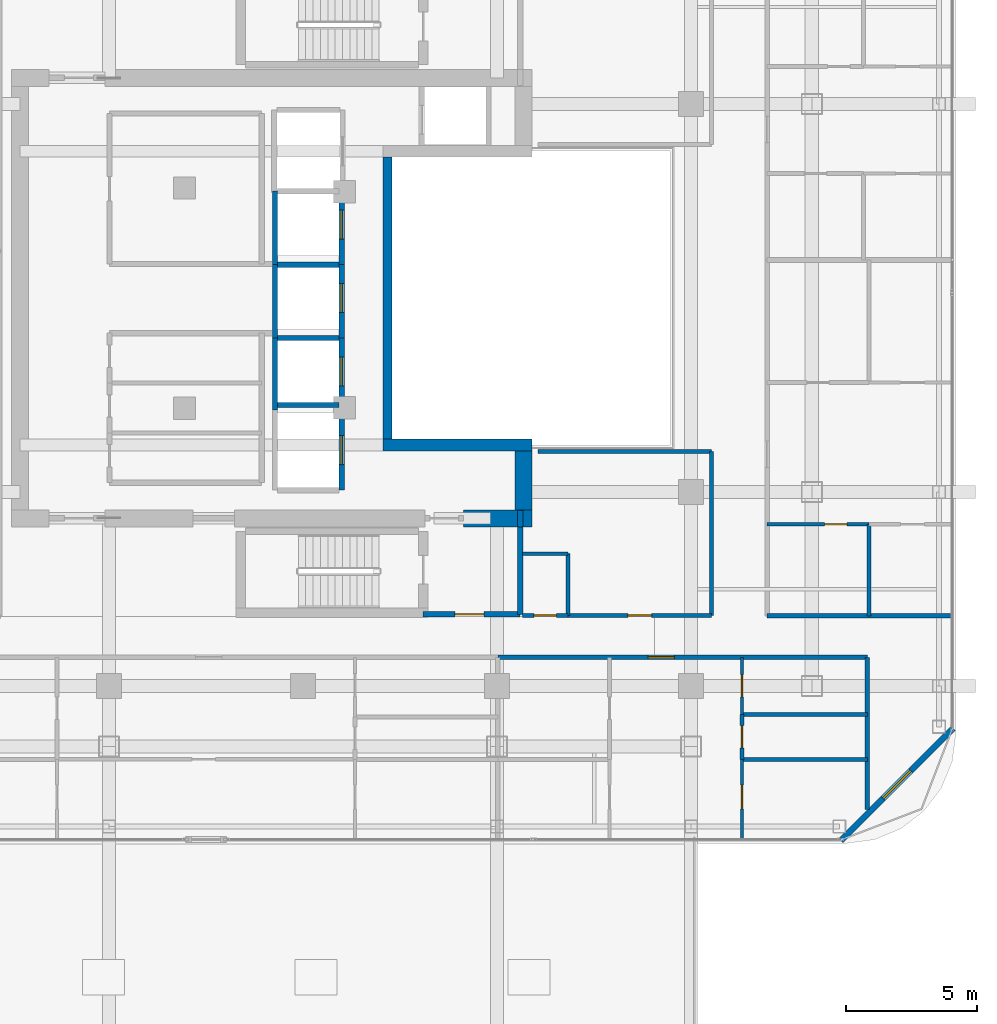
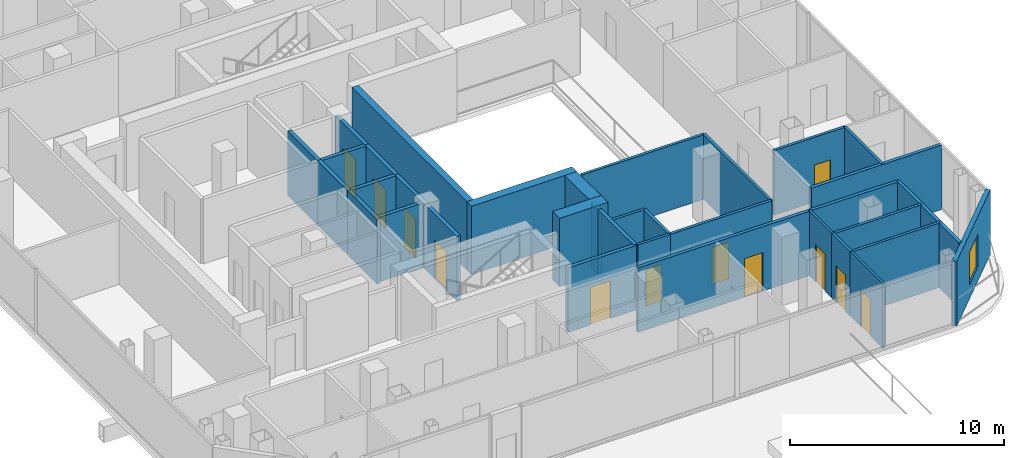
# One storey, part 19 of 25: 34 walls, 12 doors, 1 window, 13 openings.
"""IFC4 building model written with IfcOpenShell, lengths in metres."""

import ifcopenshell
import ifcopenshell.guid

model = None  # the IFC model being written
_history = None  # IfcOwnerHistory: only IFC2X3 demands one
_inside = {}  # id of a spatial element -> (the spatial element, [elements in it])
_under = {}  # id of a project, library or spatial element -> (it, [spatial elements below it])
_declared = {}  # id of a project -> (the project, [libraries it declares])
_typed = {}  # id of a type object -> (the type object, [elements of that type])
_made_of = {}  # id of a material, layer set ... -> (it, [elements and type objects made of it])


def new_model(schema):
    """Start an empty IFC model of exactly this schema.

    Asked for "IFC4X3", IfcOpenShell would pick the latest addendum, in which some entities
    have other attributes; the version numbers below select the first issue.
    IFC2X3 requires an IfcOwnerHistory on every rooted entity: one is made here for all.
    """
    global model, _history
    if schema == "IFC4X3":
        model = ifcopenshell.file(schema_version=(4, 3, 0, 0))
    else:
        model = ifcopenshell.file(schema=schema)
    _inside.clear()
    _under.clear()
    _declared.clear()
    _typed.clear()
    _made_of.clear()
    _history = None
    if model.schema == "IFC2X3":
        org = make("IfcOrganization", Name="unknown")
        user = make(
            "IfcPersonAndOrganization",
            ThePerson=make("IfcPerson", FamilyName="unknown"),
            TheOrganization=org,
        )
        app = make(
            "IfcApplication",
            ApplicationDeveloper=org,
            Version="unknown",
            ApplicationFullName="unknown",
            ApplicationIdentifier="unknown",
        )
        _history = make(
            "IfcOwnerHistory",
            OwningUser=user,
            OwningApplication=app,
            ChangeAction="ADDED",
            CreationDate=0,
        )
    return model


def make(cls, **values):
    """One entity of the class cls with the attributes given. An attribute that is None is left unset."""
    return model.create_entity(
        cls, **{name: value for name, value in values.items() if value is not None}
    )


def rooted(cls, **values):
    """An entity with a GlobalId (a new one), such as an element, a storey or a relation."""
    return make(cls, GlobalId=ifcopenshell.guid.new(), OwnerHistory=_history, **values)


def si_unit(unit_type, name, prefix=None):
    """IfcSIUnit, for example si_unit("LENGTHUNIT", "METRE", prefix="MILLI")."""
    return make("IfcSIUnit", UnitType=unit_type, Prefix=prefix, Name=name)


def assignment(units):
    """IfcUnitAssignment: the units of a project."""
    return None if units is None else make("IfcUnitAssignment", Units=units)


def point(xyz):
    """IfcCartesianPoint."""
    return None if xyz is None else make("IfcCartesianPoint", Coordinates=xyz)


def direction(xyz):
    """IfcDirection."""
    return None if xyz is None else make("IfcDirection", DirectionRatios=xyz)


def frame(location, z_axis=None, x_axis=None):
    """IfcAxis2Placement3D, a coordinate frame: its origin and axes. An axis left out is left unset."""
    return make(
        "IfcAxis2Placement3D",
        Location=point(location),
        Axis=direction(z_axis),
        RefDirection=direction(x_axis),
    )


def frame_2d(location, x_axis=None):
    """IfcAxis2Placement2D, a coordinate frame in the plane: its origin and x axis."""
    return make(
        "IfcAxis2Placement2D", Location=point(location), RefDirection=direction(x_axis)
    )


def origin():
    """The frame at (0, 0, 0) with its axes left unset."""
    return frame((0.0, 0.0, 0.0))


def place(relative_to, where):
    """IfcLocalPlacement: puts the frame where relative to a parent placement (None: the world)."""
    return make(
        "IfcLocalPlacement", PlacementRelTo=relative_to, RelativePlacement=where
    )


def context(
    kind, dimensions, precision=None, world=None, true_north=None, identifier=None
):
    """IfcGeometricRepresentationContext, for example the 3D "Model" context."""
    return make(
        "IfcGeometricRepresentationContext",
        ContextIdentifier=identifier,
        ContextType=kind,
        CoordinateSpaceDimension=dimensions,
        Precision=precision,
        WorldCoordinateSystem=world,
        TrueNorth=true_north,
    )


def subcontext(parent, identifier, kind, view, scale=None):
    """IfcGeometricRepresentationSubContext, for example "Body" below "Model"."""
    return make(
        "IfcGeometricRepresentationSubContext",
        ContextIdentifier=identifier,
        ContextType=kind,
        ParentContext=parent,
        TargetScale=scale,
        TargetView=view,
    )


def project(units=None, contexts=None):
    """IfcProject with its units and contexts."""
    return rooted(
        "IfcProject",
        Name="project",
        RepresentationContexts=contexts,
        UnitsInContext=assignment(units),
    )


def spatial(cls, under=None, at=None, **own):
    """A site, building, storey or space (cls), placed at a placement, below another one or the project."""
    s = rooted(cls, ObjectPlacement=at, **own)
    if under is not None:
        _under.setdefault(under.id(), (under, []))[1].append(s)
    return s


def profile(cls, at=None, kind="AREA", **sizes):
    """A parametric profile (cls). Its sizes go by their IFC names, for example OverallWidth=200.0."""
    return make(cls, ProfileType=kind, Position=at, **sizes)


def rectangle(**sizes):
    """IfcRectangleProfileDef."""
    return profile("IfcRectangleProfileDef", **sizes)


def extrude(swept, where, along, depth):
    """IfcExtrudedAreaSolid: the profile swept, set in the frame where, extruded along a direction by depth."""
    return make(
        "IfcExtrudedAreaSolid",
        SweptArea=swept,
        Position=where,
        ExtrudedDirection=direction(along),
        Depth=depth,
    )


def shape(context_of_items, identifier, shape_type, items):
    """IfcShapeRepresentation: the items that make up one representation, for example the "Body"."""
    return make(
        "IfcShapeRepresentation",
        ContextOfItems=context_of_items,
        RepresentationIdentifier=identifier,
        RepresentationType=shape_type,
        Items=items,
    )


def material(Name=None, Category=None):
    """IfcMaterial."""
    return make("IfcMaterial", Name=Name, Category=Category)


def layer(
    of_material, thickness, ventilated=None, Name=None, Category=None, Priority=None
):
    """IfcMaterialLayer: one layer of a wall or slab, of a material (None: an air gap)."""
    return make(
        "IfcMaterialLayer",
        Material=of_material,
        LayerThickness=thickness,
        IsVentilated=ventilated,
        Name=Name,
        Category=Category,
        Priority=Priority,
    )


def layer_set(layers, Name=None):
    """IfcMaterialLayerSet."""
    return make("IfcMaterialLayerSet", MaterialLayers=layers, LayerSetName=Name)


def made_of(thing, what):
    """Note that an element or type object is made of a material, layer set ...; save() writes the relation."""
    if what is not None:
        _made_of.setdefault(what.id(), (what, []))[1].append(thing)
    return thing


def type_object(cls, material=None, **own):
    """A type object (cls), such as IfcWallType, which elements share."""
    return made_of(rooted(cls, **own), material)


def element(
    cls,
    number,
    at=None,
    inside=None,
    cuts=None,
    type_object=None,
    material=None,
    context=None,
    identifier="Body",
    shape_type=None,
    held_by="IfcProductDefinitionShape",
    body=None,
    shapes=None,
    **own,
):
    """One element of the class cls, such as IfcWall. Its Tag is "e" and its number.

    at: its placement. inside: the storey or other place that contains it. cuts: it is an
    opening in that element (IfcRelVoidsElement). A single representation is given by context,
    identifier, shape_type and body (its items); several are given by shapes. held_by: the class
    of the entity that holds the representations. save() writes the other relations.
    """
    e = rooted(cls, Tag="e%d" % number, ObjectPlacement=at, **own)
    if body is not None:
        shapes = [shape(context, identifier, shape_type, body)]
    if shapes is not None:
        e.Representation = make(held_by, Representations=shapes)
    if inside is not None:
        _inside.setdefault(inside.id(), (inside, []))[1].append(e)
    if cuts is not None:
        rooted(
            "IfcRelVoidsElement", RelatingBuildingElement=cuts, RelatedOpeningElement=e
        )
    if type_object is not None:
        _typed.setdefault(type_object.id(), (type_object, []))[1].append(e)
    return made_of(e, material)


def fill(opening, filler):
    """IfcRelFillsElement: the door or window that sits in an opening."""
    return rooted(
        "IfcRelFillsElement",
        RelatingOpeningElement=opening,
        RelatedBuildingElement=filler,
    )


def aggregate(whole, parts):
    """IfcRelAggregates: a whole, such as a stair, and the parts it consists of."""
    return rooted("IfcRelAggregates", RelatingObject=whole, RelatedObjects=parts)


def save(model, path):
    """Write the relations noted so far, then the file.

    IfcRelAggregates (storeys below a building ...), IfcRelContainedInSpatialStructure (elements
    in a storey), IfcRelDefinesByType, IfcRelAssociatesMaterial and IfcRelDeclares: one each for
    every whole, place, type object, material and project.
    """
    for whole, parts in _under.values():
        aggregate(whole, parts)
    for where, things in _inside.values():
        rooted(
            "IfcRelContainedInSpatialStructure",
            RelatedElements=things,
            RelatingStructure=where,
        )
    for kind, things in _typed.values():
        rooted("IfcRelDefinesByType", RelatedObjects=things, RelatingType=kind)
    for what, things in _made_of.values():
        rooted("IfcRelAssociatesMaterial", RelatedObjects=things, RelatingMaterial=what)
    for by, libraries in _declared.values():
        rooted("IfcRelDeclares", RelatingContext=by, RelatedDefinitions=libraries)
    model.write(path)


model = new_model("IFC4")

# Units and contexts
model_context = context("Model", 3, precision=1e-05, world=origin(), true_north=direction((0.0, 1.0)))
body_context = subcontext(model_context, "Body", "Model", "MODEL_VIEW")
ifc_project = project(units=[si_unit("LENGTHUNIT", "METRE"), si_unit("AREAUNIT", "SQUARE_METRE"), si_unit("VOLUMEUNIT", "CUBIC_METRE"), si_unit("PLANEANGLEUNIT", "RADIAN"), si_unit("MASSUNIT", "GRAM", prefix="KILO")], contexts=[model_context])

# Site, building, storey
site_placement = place(None, origin())
site = spatial("IfcSite", under=ifc_project, at=site_placement, CompositionType="ELEMENT")
building_placement = place(site_placement, origin())
building = spatial("IfcBuilding", under=site, at=building_placement, Name="Khorvyn Point Tower", CompositionType="ELEMENT")
storey_placement = place(building_placement, frame((0.0, 0.0, 254.699951171875)))
storey = spatial("IfcBuildingStorey", under=building, at=storey_placement, Name="L62", CompositionType="ELEMENT", Elevation=254.699951171875)

# Wall, opening, door
ifc_material_1 = material(Name="Double acoustic gypsum on twin steel stud", Category="steel")
ifc_layer_1 = layer(ifc_material_1, 0.179931640625)
ifc_layer_set_1 = layer_set([ifc_layer_1], Name="Acoustic Double-Stud Apartment Demising Wall 180")
wall_type_1 = type_object("IfcWallType", Name="Acoustic Double-Stud Apartment Demising Wall 180", PredefinedType="PARTITIONING", material=ifc_layer_set_1)
wall_1_placement = place(storey_placement, frame((7.424072265625, -13.699951171875, 0.0), z_axis=(0.0, 0.0, 1.0), x_axis=(1.0, 0.0, 0.0)))
wall_1 = element("IfcWall", 1, at=wall_1_placement, inside=storey, type_object=wall_type_1, Name="Wall", PredefinedType="PARTITIONING", context=body_context, shape_type="SweptSolid", body=[
    extrude(rectangle(XDim=14.095947265625, YDim=0.179931640625, at=frame_2d((7.0478515625, 0.0))), origin(), (0.0, 0.0, 1.0), 3.679931640625),
])
opening_1_placement = place(wall_1_placement, frame((5.73828125, 0.0, 0.0)))
opening_1 = element("IfcOpeningElement", 2, at=opening_1_placement, cuts=wall_1, Name="Opening ID-AP60", PredefinedType="OPENING", context=body_context, shape_type="SweptSolid", body=[
    extrude(rectangle(XDim=1.0, YDim=2.199951171875, at=frame_2d((0.5, 1.10009765625))), frame((0.0, 0.099853515625, 0.0), z_axis=(0.0, -1.0, 0.0), x_axis=(1.0, 0.0, 0.0)), (0.0, 0.0, 1.0), 0.199951171875),
])
ifc_material_2 = material(Name="Engineered hardwood fire-rated leaf", Category="wood")
door_type_1 = type_object("IfcDoorType", Name="Acoustic Solid-Core Timber Apartment Entrance Door 1000x2200", OperationType="NOTDEFINED", PredefinedType="DOOR", material=ifc_material_2)
door_1_placement = place(opening_1_placement, origin())
door_1 = element("IfcDoor", 3, at=door_1_placement, inside=storey, type_object=door_type_1, Name="Door", OperationType="SINGLE_SWING_LEFT", OverallHeight=2.199951171875, OverallWidth=1.0, PredefinedType="DOOR", context=body_context, shape_type="SweptSolid", body=[
    extrude(rectangle(XDim=1.0, YDim=2.199951171875, at=frame_2d((0.5, 1.10009765625))), frame((0.0, 0.02490234375, 0.0), z_axis=(0.0, -1.0, 0.0), x_axis=(1.0, 0.0, 0.0)), (0.0, 0.0, 1.0), 0.050048828125),
])
fill(opening_1, door_1)

# Walls
wall_2_placement = place(storey_placement, frame((21.52001953125, -19.510009765625, 0.0), z_axis=(0.0, 0.0, 1.0), x_axis=(0.0, 1.0, 0.0)))
element("IfcWall", 4, at=wall_2_placement, inside=storey, type_object=wall_type_1, Name="Wall", PredefinedType="PARTITIONING", context=body_context, shape_type="SweptSolid", body=[
    extrude(rectangle(XDim=5.81005859375, YDim=0.179931640625, at=frame_2d((2.905029296875, 0.0))), origin(), (0.0, 0.0, 1.0), 3.679931640625),
])
wall_3_placement = place(storey_placement, frame((17.699951171875, -12.1201171875, 0.0), z_axis=(0.0, 0.0, 1.0), x_axis=(1.0, 0.0, 0.0)))
element("IfcWall", 5, at=wall_3_placement, inside=storey, type_object=wall_type_1, Name="Wall", PredefinedType="PARTITIONING", context=body_context, shape_type="SweptSolid", body=[
    extrude(rectangle(XDim=7.030029296875, YDim=0.179931640625, at=frame_2d((3.51513671875, 0.0))), origin(), (0.0, 0.0, 1.0), 3.679931640625),
])

# Wall, opening, window
ifc_material_3 = material(Name="Pale anodised aluminium rainscreen on steel stud", Category="steel")
ifc_layer_2 = layer(ifc_material_3, 0.239990234375)
ifc_layer_set_2 = layer_set([ifc_layer_2], Name="Anodised Aluminium Insulated Corner Spandrel Wall 240")
wall_type_2 = type_object("IfcWallType", Name="Anodised Aluminium Insulated Corner Spandrel Wall 240", PredefinedType="SOLIDWALL", material=ifc_layer_set_2)
wall_4_placement = place(storey_placement, frame((24.79248046875, -16.40771484375, 0.0), z_axis=(0.0, 0.0, 1.0), x_axis=(-0.707126925818, -0.707086635981, 0.0)))
wall_4 = element("IfcWall", 6, at=wall_4_placement, inside=storey, type_object=wall_type_2, Name="L62 Rounded Corner Wall SE", PredefinedType="SOLIDWALL", context=body_context, shape_type="SweptSolid", body=[
    extrude(rectangle(XDim=6.0595703125, YDim=0.239990234375, at=frame_2d((3.02978515625, 0.0))), origin(), (0.0, 0.0, 1.0), 3.679931640625),
])
opening_2_placement = place(wall_4_placement, frame((2.27978515625, 0.0, 0.800048828125)))
opening_2 = element("IfcOpeningElement", 7, at=opening_2_placement, cuts=wall_4, Name="Opening WN-1518", PredefinedType="OPENING", context=body_context, shape_type="SweptSolid", body=[
    extrude(rectangle(XDim=1.5, YDim=1.85009765625, at=frame_2d((0.75, 0.925048828125))), frame((0.0, 0.1298828125, 0.0), z_axis=(0.0, -1.0, 0.0), x_axis=(1.0, 0.0, 0.0)), (0.0, 0.0, 1.0), 0.260009765625),
])
ifc_material_4 = material(Name="Anodised aluminium 6063-T6 and laminated Low-E glass", Category="aluminium")
window_type = type_object("IfcWindowType", Name="Anodised Aluminium Rounded-Corner Panoramic Window 1500x1850", PartitioningType="SINGLE_PANEL", PredefinedType="WINDOW", material=ifc_material_4)
window_placement = place(opening_2_placement, origin())
window = element("IfcWindow", 8, at=window_placement, inside=storey, type_object=window_type, Name="L62 Corner Panoramic Window SE", OverallHeight=1.85009765625, OverallWidth=1.5, PartitioningType="SINGLE_PANEL", PredefinedType="WINDOW", context=body_context, shape_type="SweptSolid", body=[
    extrude(rectangle(XDim=1.5, YDim=1.85009765625, at=frame_2d((0.75, 0.925048828125))), frame((0.0, 0.030029296875, 0.0), z_axis=(0.0, -1.0, 0.0), x_axis=(1.0, 0.0, 0.0)), (0.0, 0.0, 1.0), 0.06005859375),
])
fill(opening_2, window)

# Walls
ifc_material_5 = material(Name="Concrete C40/50", Category="concrete")
ifc_layer_3 = layer(ifc_material_5, 0.449951171875)
ifc_layer_set_3 = layer_set([ifc_layer_3], Name="Concrete C40/50 Core Shear Wall 450")
wall_type_3 = type_object("IfcWallType", Name="Concrete C40/50 Core Shear Wall 450", PredefinedType="SHEAR", material=ifc_layer_set_3)
wall_5_placement = place(storey_placement, frame((3.044921875, -5.60009765625, 0.0), z_axis=(0.0, 0.0, 1.0), x_axis=(1.0, 0.0, 0.0)))
element("IfcWall", 9, at=wall_5_placement, inside=storey, type_object=wall_type_3, Name="Wall", PredefinedType="SHEAR", context=body_context, shape_type="SweptSolid", body=[
    extrude(rectangle(XDim=5.68017578125, YDim=0.449951171875, at=frame_2d((2.840087890625, 0.0))), origin(), (0.0, 0.0, 1.0), 3.900146484375),
])
ifc_layer_4 = layer(ifc_material_5, 0.64990234375)
ifc_layer_set_4 = layer_set([ifc_layer_4], Name="Concrete C40/50 Core Shear Wall 650")
wall_type_4 = type_object("IfcWallType", Name="Concrete C40/50 Core Shear Wall 650", PredefinedType="SHEAR", material=ifc_layer_set_4)
wall_6_placement = place(storey_placement, frame((6.1201171875, -8.39990234375, 0.0), z_axis=(0.0, 0.0, 1.0), x_axis=(1.0, 0.0, 0.0)))
element("IfcWall", 10, at=wall_6_placement, inside=storey, type_object=wall_type_4, Name="Wall", PredefinedType="SHEAR", context=body_context, shape_type="SweptSolid", body=[
    extrude(rectangle(XDim=2.60498046875, YDim=0.64990234375, at=frame_2d((1.302490234375, 0.0))), origin(), (0.0, 0.0, 1.0), 3.900146484375),
])
wall_7_placement = place(storey_placement, frame((8.39990234375, -8.074951171875, 0.0), z_axis=(0.0, 0.0, 1.0), x_axis=(0.0, 1.0, 0.0)))
element("IfcWall", 11, at=wall_7_placement, inside=storey, type_object=wall_type_4, Name="Wall", PredefinedType="SHEAR", context=body_context, shape_type="SweptSolid", body=[
    extrude(rectangle(XDim=2.25, YDim=0.64990234375, at=frame_2d((1.125, 0.0))), origin(), (0.0, 0.0, 1.0), 3.900146484375),
])

# Wall, opening, door
ifc_layer_5 = layer(ifc_material_5, 0.199951171875)
ifc_layer_set_5 = layer_set([ifc_layer_5], Name="Concrete C40/50 Fire-Lobby Compartment Wall 200")
wall_type_5 = type_object("IfcWallType", Name="Concrete C40/50 Fire-Lobby Compartment Wall 200", PredefinedType="SOLIDWALL", material=ifc_layer_set_5)
wall_8_placement = place(storey_placement, frame((4.580078125, -12.06005859375, 0.0), z_axis=(0.0, 0.0, 1.0), x_axis=(1.0, 0.0, 0.0)))
wall_8 = element("IfcWall", 12, at=wall_8_placement, inside=storey, type_object=wall_type_5, Name="Wall", PredefinedType="SOLIDWALL", context=body_context, shape_type="SweptSolid", body=[
    extrude(rectangle(XDim=3.699951171875, YDim=0.199951171875, at=frame_2d((1.85009765625, 0.0))), origin(), (0.0, 0.0, 1.0), 3.679931640625),
])
opening_3_placement = place(wall_8_placement, frame((1.21240234375, 0.0, 0.0)))
opening_3 = element("IfcOpeningElement", 13, at=opening_3_placement, cuts=wall_8, Name="Opening ID-FL90", PredefinedType="OPENING", context=body_context, shape_type="SweptSolid", body=[
    extrude(rectangle(XDim=1.10009765625, YDim=2.14990234375, at=frame_2d((0.550048828125, 1.074951171875))), frame((0.0, 0.10986328125, 0.0), z_axis=(0.0, -1.0, 0.0), x_axis=(1.0, 0.0, 0.0)), (0.0, 0.0, 1.0), 0.219970703125),
])
ifc_material_6 = material(Name="Galvanised powder-coated steel", Category="steel")
door_type_2 = type_object("IfcDoorType", Name="Fire-Rated Steel Lobby and Stair Door 1100x2150", OperationType="NOTDEFINED", PredefinedType="DOOR", material=ifc_material_6)
door_2_placement = place(opening_3_placement, origin())
door_2 = element("IfcDoor", 14, at=door_2_placement, inside=storey, type_object=door_type_2, Name="Door", OperationType="SINGLE_SWING_LEFT", OverallHeight=2.14990234375, OverallWidth=1.10009765625, PredefinedType="DOOR", context=body_context, shape_type="SweptSolid", body=[
    extrude(rectangle(XDim=1.10009765625, YDim=2.14990234375, at=frame_2d((0.550048828125, 1.074951171875))), frame((0.0, 0.02490234375, 0.0), z_axis=(0.0, -1.0, 0.0), x_axis=(1.0, 0.0, 0.0)), (0.0, 0.0, 1.0), 0.050048828125),
])
fill(opening_3, door_2)

# Walls
wall_9_placement = place(storey_placement, frame((8.280029296875, -12.06005859375, 0.0), z_axis=(0.0, 0.0, 1.0), x_axis=(0.0, 1.0, 0.0)))
element("IfcWall", 15, at=wall_9_placement, inside=storey, type_object=wall_type_5, Name="Wall", PredefinedType="SOLIDWALL", context=body_context, shape_type="SweptSolid", body=[
    extrude(rectangle(XDim=3.3349609375, YDim=0.199951171875, at=frame_2d((1.66748046875, 0.0))), origin(), (0.0, 0.0, 1.0), 3.679931640625),
])
wall_10_placement = place(storey_placement, frame((8.280029296875, -8.72509765625, 0.0), z_axis=(0.0, 0.0, 1.0), x_axis=(0.0, 1.0, 0.0)))
element("IfcWall", 16, at=wall_10_placement, inside=storey, type_object=wall_type_5, Name="Wall", PredefinedType="SOLIDWALL", context=body_context, shape_type="SweptSolid", body=[
    extrude(rectangle(XDim=0.625, YDim=0.199951171875, at=frame_2d((0.3125, 0.0))), origin(), (0.0, 0.0, 1.0), 3.679931640625),
])
ifc_layer_6 = layer(ifc_material_5, 0.35009765625)
ifc_layer_set_6 = layer_set([ifc_layer_6], Name="Concrete C40/50 Stair Shaft Structural Wall 350")
wall_type_6 = type_object("IfcWallType", Name="Concrete C40/50 Stair Shaft Structural Wall 350", PredefinedType="SHEAR", material=ifc_layer_set_6)
wall_11_placement = place(storey_placement, frame((3.219970703125, -5.375, 0.0), z_axis=(0.0, 0.0, 1.0), x_axis=(0.0, 1.0, 0.0)))
element("IfcWall", 17, at=wall_11_placement, inside=storey, type_object=wall_type_6, Name="Wall", PredefinedType="SHEAR", context=body_context, shape_type="SweptSolid", body=[
    extrude(rectangle(XDim=10.75, YDim=0.35009765625, at=frame_2d((5.375, 0.0))), origin(), (0.0, 0.0, 1.0), 3.900146484375),
])
ifc_layer_7 = layer(ifc_material_5, 0.199951171875)
ifc_layer_set_7 = layer_set([ifc_layer_7], Name="Concrete C40/50 Structural Hoistway and Stair Shaft Wall 200")
wall_type_7 = type_object("IfcWallType", Name="Concrete C40/50 Structural Hoistway and Stair Shaft Wall 200", PredefinedType="SHEAR", material=ifc_layer_set_7)
wall_12_placement = place(storey_placement, frame((-1.074951171875, -4.27490234375, 0.0), z_axis=(0.0, 0.0, 1.0), x_axis=(0.0, 1.0, 0.0)))
element("IfcWall", 18, at=wall_12_placement, inside=storey, type_object=wall_type_7, Name="Wall", PredefinedType="SHEAR", context=body_context, shape_type="SweptSolid", body=[
    extrude(rectangle(XDim=2.75, YDim=0.199951171875, at=frame_2d((1.375, 0.0))), origin(), (0.0, 0.0, 1.0), 3.679931640625),
])

# Wall, opening, door
wall_13_placement = place(storey_placement, frame((1.47509765625, -4.27490234375, 0.0), z_axis=(0.0, 0.0, 1.0), x_axis=(0.0, 1.0, 0.0)))
wall_13 = element("IfcWall", 19, at=wall_13_placement, inside=storey, type_object=wall_type_7, Name="Wall", PredefinedType="SHEAR", context=body_context, shape_type="SweptSolid", body=[
    extrude(rectangle(XDim=2.75, YDim=0.199951171875, at=frame_2d((1.375, 0.0))), origin(), (0.0, 0.0, 1.0), 3.679931640625),
])
opening_4_placement = place(wall_13_placement, frame((0.925048828125, 0.0, 0.0)))
opening_4 = element("IfcOpeningElement", 20, at=opening_4_placement, cuts=wall_13, Name="Opening LD-1122", PredefinedType="OPENING", context=body_context, shape_type="SweptSolid", body=[
    extrude(rectangle(XDim=1.10009765625, YDim=2.199951171875, at=frame_2d((0.550048828125, 1.10009765625))), frame((0.0, 0.10986328125, 0.0), z_axis=(0.0, -1.0, 0.0), x_axis=(1.0, 0.0, 0.0)), (0.0, 0.0, 1.0), 0.219970703125),
])
ifc_material_7 = material(Name="Stainless steel 1.4301", Category="steel")
door_type_3 = type_object("IfcDoorType", Name="Stainless Steel Automatic Sliding Lift Landing Door 1100x2200", OperationType="SLIDING_TO_LEFT", PredefinedType="DOOR", material=ifc_material_7)
door_3_placement = place(opening_4_placement, origin())
door_3 = element("IfcDoor", 21, at=door_3_placement, inside=storey, type_object=door_type_3, Name="L62 RH-01 Sliding Lift Landing Door", OperationType="SLIDING_TO_LEFT", OverallHeight=2.199951171875, OverallWidth=1.10009765625, PredefinedType="DOOR", context=body_context, shape_type="SweptSolid", body=[
    extrude(rectangle(XDim=1.10009765625, YDim=2.199951171875, at=frame_2d((0.550048828125, 1.10009765625))), frame((0.0, 0.02490234375, 0.0), z_axis=(0.0, -1.0, 0.0), x_axis=(1.0, 0.0, 0.0)), (0.0, 0.0, 1.0), 0.050048828125),
])
fill(opening_4, door_3)

# Walls
for number, where, z_axis, x_axis, name in (
    (22, (-0.97509765625, -4.074951171875, 0.0), (0.0, 0.0, 1.0), (1.0, 0.0, 0.0), "Wall"),
    (23, (-0.97509765625, -1.52490234375, 0.0), (0.0, 0.0, 1.0), (1.0, 0.0, 0.0), "Wall"),
):
    element("IfcWall", number, at=place(storey_placement, frame(where, z_axis=z_axis, x_axis=x_axis)), inside=storey, type_object=wall_type_7, Name=name, PredefinedType="SHEAR", context=body_context, shape_type="SweptSolid", body=[
        extrude(rectangle(XDim=2.35009765625, YDim=0.199951171875, at=frame_2d((1.175048828125, 0.0))), origin(), (0.0, 0.0, 1.0), 3.679931640625),
    ])
wall_14_placement = place(storey_placement, frame((-1.074951171875, -1.52490234375, 0.0), z_axis=(0.0, 0.0, 1.0), x_axis=(0.0, 1.0, 0.0)))
element("IfcWall", 24, at=wall_14_placement, inside=storey, type_object=wall_type_7, Name="Wall", PredefinedType="SHEAR", context=body_context, shape_type="SweptSolid", body=[
    extrude(rectangle(XDim=2.7998046875, YDim=0.199951171875, at=frame_2d((1.39990234375, 0.0))), origin(), (0.0, 0.0, 1.0), 3.679931640625),
])

# Wall, opening, door
wall_15_placement = place(storey_placement, frame((1.47509765625, -1.52490234375, 0.0), z_axis=(0.0, 0.0, 1.0), x_axis=(0.0, 1.0, 0.0)))
wall_15 = element("IfcWall", 25, at=wall_15_placement, inside=storey, type_object=wall_type_7, Name="Wall", PredefinedType="SHEAR", context=body_context, shape_type="SweptSolid", body=[
    extrude(rectangle(XDim=2.7998046875, YDim=0.199951171875, at=frame_2d((1.39990234375, 0.0))), origin(), (0.0, 0.0, 1.0), 3.679931640625),
])
opening_5_placement = place(wall_15_placement, frame((0.97509765625, 0.0, 0.0)))
opening_5 = element("IfcOpeningElement", 26, at=opening_5_placement, cuts=wall_15, Name="Opening LD-1122", PredefinedType="OPENING", context=body_context, shape_type="SweptSolid", body=[
    extrude(rectangle(XDim=1.10009765625, YDim=2.199951171875, at=frame_2d((0.550048828125, 1.10009765625))), frame((0.0, 0.10986328125, 0.0), z_axis=(0.0, -1.0, 0.0), x_axis=(1.0, 0.0, 0.0)), (0.0, 0.0, 1.0), 0.219970703125),
])
door_4_placement = place(opening_5_placement, origin())
door_4 = element("IfcDoor", 27, at=door_4_placement, inside=storey, type_object=door_type_3, Name="L62 RH-02 Sliding Lift Landing Door", OperationType="SLIDING_TO_LEFT", OverallHeight=2.199951171875, OverallWidth=1.10009765625, PredefinedType="DOOR", context=body_context, shape_type="SweptSolid", body=[
    extrude(rectangle(XDim=1.10009765625, YDim=2.199951171875, at=frame_2d((0.550048828125, 1.10009765625))), frame((0.0, 0.02490234375, 0.0), z_axis=(0.0, -1.0, 0.0), x_axis=(1.0, 0.0, 0.0)), (0.0, 0.0, 1.0), 0.050048828125),
])
fill(opening_5, door_4)

# Walls
wall_16_placement = place(storey_placement, frame((-0.97509765625, 1.27490234375, 0.0), z_axis=(0.0, 0.0, 1.0), x_axis=(1.0, 0.0, 0.0)))
element("IfcWall", 28, at=wall_16_placement, inside=storey, type_object=wall_type_7, Name="Wall", PredefinedType="SHEAR", context=body_context, shape_type="SweptSolid", body=[
    extrude(rectangle(XDim=2.35009765625, YDim=0.199951171875, at=frame_2d((1.175048828125, 0.0))), origin(), (0.0, 0.0, 1.0), 3.679931640625),
])
wall_17_placement = place(storey_placement, frame((-1.074951171875, 1.27490234375, 0.0), z_axis=(0.0, 0.0, 1.0), x_axis=(0.0, 1.0, 0.0)))
element("IfcWall", 29, at=wall_17_placement, inside=storey, type_object=wall_type_7, Name="Wall", PredefinedType="SHEAR", context=body_context, shape_type="SweptSolid", body=[
    extrude(rectangle(XDim=2.800048828125, YDim=0.199951171875, at=frame_2d((1.39990234375, 0.0))), origin(), (0.0, 0.0, 1.0), 3.679931640625),
])

# Wall, opening, door
wall_18_placement = place(storey_placement, frame((1.47509765625, 1.27490234375, 0.0), z_axis=(0.0, 0.0, 1.0), x_axis=(0.0, 1.0, 0.0)))
wall_18 = element("IfcWall", 30, at=wall_18_placement, inside=storey, type_object=wall_type_7, Name="Wall", PredefinedType="SHEAR", context=body_context, shape_type="SweptSolid", body=[
    extrude(rectangle(XDim=2.800048828125, YDim=0.199951171875, at=frame_2d((1.39990234375, 0.0))), origin(), (0.0, 0.0, 1.0), 3.679931640625),
])
opening_6_placement = place(wall_18_placement, frame((0.97509765625, 0.0, 0.0)))
opening_6 = element("IfcOpeningElement", 31, at=opening_6_placement, cuts=wall_18, Name="Opening LD-1122", PredefinedType="OPENING", context=body_context, shape_type="SweptSolid", body=[
    extrude(rectangle(XDim=1.10009765625, YDim=2.199951171875, at=frame_2d((0.550048828125, 1.10009765625))), frame((0.0, 0.10986328125, 0.0), z_axis=(0.0, -1.0, 0.0), x_axis=(1.0, 0.0, 0.0)), (0.0, 0.0, 1.0), 0.219970703125),
])
door_5_placement = place(opening_6_placement, origin())
door_5 = element("IfcDoor", 32, at=door_5_placement, inside=storey, type_object=door_type_3, Name="L62 RH-03 Sliding Lift Landing Door", OperationType="SLIDING_TO_LEFT", OverallHeight=2.199951171875, OverallWidth=1.10009765625, PredefinedType="DOOR", context=body_context, shape_type="SweptSolid", body=[
    extrude(rectangle(XDim=1.10009765625, YDim=2.199951171875, at=frame_2d((0.550048828125, 1.10009765625))), frame((0.0, 0.02490234375, 0.0), z_axis=(0.0, -1.0, 0.0), x_axis=(1.0, 0.0, 0.0)), (0.0, 0.0, 1.0), 0.050048828125),
])
fill(opening_6, door_5)

wall_19_placement = place(storey_placement, frame((1.47509765625, -7.324951171875, 0.0), z_axis=(0.0, 0.0, 1.0), x_axis=(0.0, 1.0, 0.0)))
wall_19 = element("IfcWall", 33, at=wall_19_placement, inside=storey, type_object=wall_type_7, Name="Wall", PredefinedType="SHEAR", context=body_context, shape_type="SweptSolid", body=[
    extrude(rectangle(XDim=3.050048828125, YDim=0.199951171875, at=frame_2d((1.52490234375, 0.0))), origin(), (0.0, 0.0, 1.0), 3.679931640625),
])
opening_7_placement = place(wall_19_placement, frame((0.97509765625, 0.0, 0.0)))
opening_7 = element("IfcOpeningElement", 34, at=opening_7_placement, cuts=wall_19, Name="Opening LD-1122", PredefinedType="OPENING", context=body_context, shape_type="SweptSolid", body=[
    extrude(rectangle(XDim=1.10009765625, YDim=2.199951171875, at=frame_2d((0.550048828125, 1.10009765625))), frame((0.0, 0.10986328125, 0.0), z_axis=(0.0, -1.0, 0.0), x_axis=(1.0, 0.0, 0.0)), (0.0, 0.0, 1.0), 0.219970703125),
])
door_6_placement = place(opening_7_placement, origin())
door_6 = element("IfcDoor", 35, at=door_6_placement, inside=storey, type_object=door_type_3, Name="L62 FF-01 Sliding Lift Landing Door", OperationType="SLIDING_TO_LEFT", OverallHeight=2.199951171875, OverallWidth=1.10009765625, PredefinedType="DOOR", context=body_context, shape_type="SweptSolid", body=[
    extrude(rectangle(XDim=1.10009765625, YDim=2.199951171875, at=frame_2d((0.550048828125, 1.10009765625))), frame((0.0, 0.02490234375, 0.0), z_axis=(0.0, -1.0, 0.0), x_axis=(1.0, 0.0, 0.0)), (0.0, 0.0, 1.0), 0.050048828125),
])
fill(opening_7, door_6)

ifc_material_8 = material(Name="Gypsum plasterboard on steel stud", Category="steel")
ifc_layer_8 = layer(ifc_material_8, 0.1201171875)
ifc_layer_set_8 = layer_set([ifc_layer_8], Name="Gypsum Acoustic Stud Room Partition Wall 120")
wall_type_8 = type_object("IfcWallType", Name="Gypsum Acoustic Stud Room Partition Wall 120", PredefinedType="PARTITIONING", material=ifc_layer_set_8)
wall_20_placement = place(storey_placement, frame((16.738037109375, -15.8779296875, 0.0), z_axis=(0.0, 0.0, 1.0), x_axis=(0.0, 1.0, 0.0)))
wall_20 = element("IfcWall", 36, at=wall_20_placement, inside=storey, type_object=wall_type_8, Name="Wall", PredefinedType="PARTITIONING", context=body_context, shape_type="SweptSolid", body=[
    extrude(rectangle(XDim=2.177978515625, YDim=0.1201171875, at=frame_2d((1.0888671875, 0.0))), origin(), (0.0, 0.0, 1.0), 3.679931640625),
])
opening_8_placement = place(wall_20_placement, frame((0.6640625, 0.0, 0.0)))
opening_8 = element("IfcOpeningElement", 37, at=opening_8_placement, cuts=wall_20, Name="Opening ID-WC85", PredefinedType="OPENING", context=body_context, shape_type="SweptSolid", body=[
    extrude(rectangle(XDim=0.85009765625, YDim=2.10009765625, at=frame_2d((0.425048828125, 1.050048828125))), frame((0.0, 0.070068359375, 0.0), z_axis=(0.0, -1.0, 0.0), x_axis=(1.0, 0.0, 0.0)), (0.0, 0.0, 1.0), 0.14013671875),
])
ifc_material_9 = material(Name="High-pressure laminate on moisture-resistant core", Category="wood")
door_type_4 = type_object("IfcDoorType", Name="Moisture-Resistant Accessible Washroom Door 850x2100", OperationType="NOTDEFINED", PredefinedType="DOOR", material=ifc_material_9)
door_7_placement = place(opening_8_placement, origin())
door_7 = element("IfcDoor", 38, at=door_7_placement, inside=storey, type_object=door_type_4, Name="Door", OperationType="SINGLE_SWING_LEFT", OverallHeight=2.10009765625, OverallWidth=0.85009765625, PredefinedType="DOOR", context=body_context, shape_type="SweptSolid", body=[
    extrude(rectangle(XDim=0.85009765625, YDim=2.10009765625, at=frame_2d((0.425048828125, 1.050048828125))), frame((0.0, 0.02490234375, 0.0), z_axis=(0.0, -1.0, 0.0), x_axis=(1.0, 0.0, 0.0)), (0.0, 0.0, 1.0), 0.050048828125),
])
fill(opening_8, door_7)

wall_21_placement = place(storey_placement, frame((16.738037109375, -20.6298828125, 0.0), z_axis=(0.0, 0.0, 1.0), x_axis=(0.0, 1.0, 0.0)))
wall_21 = element("IfcWall", 39, at=wall_21_placement, inside=storey, type_object=wall_type_8, Name="Wall", PredefinedType="PARTITIONING", context=body_context, shape_type="SweptSolid", body=[
    extrude(rectangle(XDim=3.039794921875, YDim=0.1201171875, at=frame_2d((1.52001953125, 0.0))), origin(), (0.0, 0.0, 1.0), 3.679931640625),
])
opening_9_placement = place(wall_21_placement, frame((1.152587890625, 0.0, 0.0)))
opening_9 = element("IfcOpeningElement", 40, at=opening_9_placement, cuts=wall_21, Name="Opening ID-RM90", PredefinedType="OPENING", context=body_context, shape_type="SweptSolid", body=[
    extrude(rectangle(XDim=0.89990234375, YDim=2.10009765625, at=frame_2d((0.449951171875, 1.050048828125))), frame((0.0, 0.070068359375, 0.0), z_axis=(0.0, -1.0, 0.0), x_axis=(1.0, 0.0, 0.0)), (0.0, 0.0, 1.0), 0.14013671875),
])
ifc_material_10 = material(Name="Engineered oak veneer timber", Category="wood")
door_type_5 = type_object("IfcDoorType", Name="Flush Engineered Timber Room Door 900x2100", OperationType="NOTDEFINED", PredefinedType="DOOR", material=ifc_material_10)
door_8_placement = place(opening_9_placement, origin())
door_8 = element("IfcDoor", 41, at=door_8_placement, inside=storey, type_object=door_type_5, Name="Door", OperationType="SINGLE_SWING_RIGHT", OverallHeight=2.10009765625, OverallWidth=0.89990234375, PredefinedType="DOOR", context=body_context, shape_type="SweptSolid", body=[
    extrude(rectangle(XDim=0.89990234375, YDim=2.10009765625, at=frame_2d((0.449951171875, 1.050048828125))), frame((0.0, 0.02490234375, 0.0), z_axis=(0.0, -1.0, 0.0), x_axis=(1.0, 0.0, 0.0)), (0.0, 0.0, 1.0), 0.050048828125),
])
fill(opening_9, door_8)

ifc_material_11 = material(Name="Moisture-resistant gypsum and cement board", Category="gypsum")
ifc_layer_9 = layer(ifc_material_11, 0.14990234375)
ifc_layer_set_9 = layer_set([ifc_layer_9], Name="Moisture-Resistant Wet-Room Partition Wall 150")
wall_type_9 = type_object("IfcWallType", Name="Moisture-Resistant Wet-Room Partition Wall 150", PredefinedType="PARTITIONING", material=ifc_layer_set_9)
wall_22_placement = place(storey_placement, frame((8.360107421875, -12.10009765625, 0.0), z_axis=(0.0, 0.0, 1.0), x_axis=(1.0, 0.0, 0.0)))
wall_22 = element("IfcWall", 42, at=wall_22_placement, inside=storey, type_object=wall_type_9, Name="Wall", PredefinedType="PARTITIONING", context=body_context, shape_type="SweptSolid", body=[
    extrude(rectangle(XDim=1.739990234375, YDim=0.14990234375, at=frame_2d((0.8701171875, 0.0))), origin(), (0.0, 0.0, 1.0), 3.679931640625),
])
opening_10_placement = place(wall_22_placement, frame((0.445068359375, 0.0, 0.0)))
opening_10 = element("IfcOpeningElement", 43, at=opening_10_placement, cuts=wall_22, Name="Opening ID-WC85", PredefinedType="OPENING", context=body_context, shape_type="SweptSolid", body=[
    extrude(rectangle(XDim=0.85009765625, YDim=2.10009765625, at=frame_2d((0.425048828125, 1.050048828125))), frame((0.0, 0.0849609375, 0.0), z_axis=(0.0, -1.0, 0.0), x_axis=(1.0, 0.0, 0.0)), (0.0, 0.0, 1.0), 0.169921875),
])
door_9_placement = place(opening_10_placement, origin())
door_9 = element("IfcDoor", 44, at=door_9_placement, inside=storey, type_object=door_type_4, Name="Door", OperationType="SINGLE_SWING_RIGHT", OverallHeight=2.10009765625, OverallWidth=0.85009765625, PredefinedType="DOOR", context=body_context, shape_type="SweptSolid", body=[
    extrude(rectangle(XDim=0.85009765625, YDim=2.10009765625, at=frame_2d((0.425048828125, 1.050048828125))), frame((0.0, 0.02490234375, 0.0), z_axis=(0.0, -1.0, 0.0), x_axis=(1.0, 0.0, 0.0)), (0.0, 0.0, 1.0), 0.050048828125),
])
fill(opening_10, door_9)

wall_23_placement = place(storey_placement, frame((10.10009765625, -12.10009765625, 0.0), z_axis=(0.0, 0.0, 1.0), x_axis=(1.0, 0.0, 0.0)))
wall_23 = element("IfcWall", 45, at=wall_23_placement, inside=storey, type_object=wall_type_9, Name="Wall", PredefinedType="PARTITIONING", context=body_context, shape_type="SweptSolid", body=[
    extrude(rectangle(XDim=5.47998046875, YDim=0.14990234375, at=frame_2d((2.739990234375, 0.0))), origin(), (0.0, 0.0, 1.0), 3.679931640625),
])
opening_11_placement = place(wall_23_placement, frame((2.2900390625, 0.0, 0.0)))
opening_11 = element("IfcOpeningElement", 46, at=opening_11_placement, cuts=wall_23, Name="Opening ID-RM90", PredefinedType="OPENING", context=body_context, shape_type="SweptSolid", body=[
    extrude(rectangle(XDim=0.89990234375, YDim=2.10009765625, at=frame_2d((0.449951171875, 1.050048828125))), frame((0.0, 0.0849609375, 0.0), z_axis=(0.0, -1.0, 0.0), x_axis=(1.0, 0.0, 0.0)), (0.0, 0.0, 1.0), 0.169921875),
])
door_10_placement = place(opening_11_placement, origin())
door_10 = element("IfcDoor", 47, at=door_10_placement, inside=storey, type_object=door_type_5, Name="Door", OperationType="SINGLE_SWING_LEFT", OverallHeight=2.10009765625, OverallWidth=0.89990234375, PredefinedType="DOOR", context=body_context, shape_type="SweptSolid", body=[
    extrude(rectangle(XDim=0.89990234375, YDim=2.10009765625, at=frame_2d((0.449951171875, 1.050048828125))), frame((0.0, 0.02490234375, 0.0), z_axis=(0.0, -1.0, 0.0), x_axis=(1.0, 0.0, 0.0)), (0.0, 0.0, 1.0), 0.050048828125),
])
fill(opening_11, door_10)

wall_24_placement = place(storey_placement, frame((16.738037109375, -17.590087890625, 0.0), z_axis=(0.0, 0.0, 1.0), x_axis=(0.0, 1.0, 0.0)))
wall_24 = element("IfcWall", 48, at=wall_24_placement, inside=storey, type_object=wall_type_9, Name="Wall", PredefinedType="PARTITIONING", context=body_context, shape_type="SweptSolid", body=[
    extrude(rectangle(XDim=1.712158203125, YDim=0.14990234375, at=frame_2d((0.85595703125, 0.0))), origin(), (0.0, 0.0, 1.0), 3.679931640625),
])
opening_12_placement = place(wall_24_placement, frame((0.430908203125, 0.0, 0.0)))
opening_12 = element("IfcOpeningElement", 49, at=opening_12_placement, cuts=wall_24, Name="Opening ID-WC85", PredefinedType="OPENING", context=body_context, shape_type="SweptSolid", body=[
    extrude(rectangle(XDim=0.85009765625, YDim=2.10009765625, at=frame_2d((0.425048828125, 1.050048828125))), frame((0.0, 0.0849609375, 0.0), z_axis=(0.0, -1.0, 0.0), x_axis=(1.0, 0.0, 0.0)), (0.0, 0.0, 1.0), 0.169921875),
])
door_11_placement = place(opening_12_placement, origin())
door_11 = element("IfcDoor", 50, at=door_11_placement, inside=storey, type_object=door_type_4, Name="Door", OperationType="SINGLE_SWING_RIGHT", OverallHeight=2.10009765625, OverallWidth=0.85009765625, PredefinedType="DOOR", context=body_context, shape_type="SweptSolid", body=[
    extrude(rectangle(XDim=0.85009765625, YDim=2.10009765625, at=frame_2d((0.425048828125, 1.050048828125))), frame((0.0, 0.02490234375, 0.0), z_axis=(0.0, -1.0, 0.0), x_axis=(1.0, 0.0, 0.0)), (0.0, 0.0, 1.0), 0.050048828125),
])
fill(opening_12, door_11)

wall_25_placement = place(storey_placement, frame((17.699951171875, -8.626953125, 0.0), z_axis=(0.0, 0.0, 1.0), x_axis=(1.0, 0.0, 0.0)))
wall_25 = element("IfcWall", 51, at=wall_25_placement, inside=storey, type_object=wall_type_9, Name="Wall", PredefinedType="PARTITIONING", context=body_context, shape_type="SweptSolid", body=[
    extrude(rectangle(XDim=3.879150390625, YDim=0.14990234375, at=frame_2d((1.939453125, 0.0))), origin(), (0.0, 0.0, 1.0), 3.679931640625),
])
opening_13_placement = place(wall_25_placement, frame((2.19189453125, 0.0, 0.0)))
opening_13 = element("IfcOpeningElement", 52, at=opening_13_placement, cuts=wall_25, Name="Opening ID-WC85", PredefinedType="OPENING", context=body_context, shape_type="SweptSolid", body=[
    extrude(rectangle(XDim=0.85009765625, YDim=2.10009765625, at=frame_2d((0.425048828125, 1.050048828125))), frame((0.0, 0.0849609375, 0.0), z_axis=(0.0, -1.0, 0.0), x_axis=(1.0, 0.0, 0.0)), (0.0, 0.0, 1.0), 0.169921875),
])
door_12_placement = place(opening_13_placement, origin())
door_12 = element("IfcDoor", 53, at=door_12_placement, inside=storey, type_object=door_type_4, Name="Door", OperationType="SINGLE_SWING_LEFT", OverallHeight=2.10009765625, OverallWidth=0.85009765625, PredefinedType="DOOR", context=body_context, shape_type="SweptSolid", body=[
    extrude(rectangle(XDim=0.85009765625, YDim=2.10009765625, at=frame_2d((0.425048828125, 1.050048828125))), frame((0.0, 0.02490234375, 0.0), z_axis=(0.0, -1.0, 0.0), x_axis=(1.0, 0.0, 0.0)), (0.0, 0.0, 1.0), 0.050048828125),
])
fill(opening_13, door_12)

# Walls
wall_26_placement = place(storey_placement, frame((8.360107421875, -9.75, 0.0), z_axis=(0.0, 0.0, 1.0), x_axis=(1.0, 0.0, 0.0)))
element("IfcWall", 54, at=wall_26_placement, inside=storey, type_object=wall_type_9, Name="Wall", PredefinedType="PARTITIONING", context=body_context, shape_type="SweptSolid", body=[
    extrude(rectangle(XDim=1.739990234375, YDim=0.14990234375, at=frame_2d((0.8701171875, 0.0))), origin(), (0.0, 0.0, 1.0), 3.679931640625),
])
wall_27_placement = place(storey_placement, frame((10.10009765625, -12.10009765625, 0.0), z_axis=(0.0, 0.0, 1.0), x_axis=(0.0, 1.0, 0.0)))
element("IfcWall", 55, at=wall_27_placement, inside=storey, type_object=wall_type_9, Name="Wall", PredefinedType="PARTITIONING", context=body_context, shape_type="SweptSolid", body=[
    extrude(rectangle(XDim=2.35009765625, YDim=0.14990234375, at=frame_2d((1.175048828125, 0.0))), origin(), (0.0, 0.0, 1.0), 3.679931640625),
])
wall_28_placement = place(storey_placement, frame((15.580078125, -12.10009765625, 0.0), z_axis=(0.0, 0.0, 1.0), x_axis=(0.0, 1.0, 0.0)))
element("IfcWall", 56, at=wall_28_placement, inside=storey, type_object=wall_type_9, Name="Wall", PredefinedType="PARTITIONING", context=body_context, shape_type="SweptSolid", body=[
    extrude(rectangle(XDim=6.25, YDim=0.14990234375, at=frame_2d((3.125, 0.0))), origin(), (0.0, 0.0, 1.0), 3.679931640625),
])
wall_29_placement = place(storey_placement, frame((8.9599609375, -5.85009765625, 0.0), z_axis=(0.0, 0.0, 1.0), x_axis=(1.0, 0.0, 0.0)))
element("IfcWall", 57, at=wall_29_placement, inside=storey, type_object=wall_type_9, Name="Wall", PredefinedType="PARTITIONING", context=body_context, shape_type="SweptSolid", body=[
    extrude(rectangle(XDim=6.6201171875, YDim=0.14990234375, at=frame_2d((3.31005859375, 0.0))), origin(), (0.0, 0.0, 1.0), 3.679931640625),
])
for number, where, z_axis, x_axis, name in (
    (58, (16.738037109375, -15.8779296875, 0.0), (0.0, 0.0, 1.0), (1.0, 0.0, 0.0), "Wall"),
    (59, (16.738037109375, -17.590087890625, 0.0), (0.0, 0.0, 1.0), (1.0, 0.0, 0.0), "Wall"),
):
    element("IfcWall", number, at=place(storey_placement, frame(where, z_axis=z_axis, x_axis=x_axis)), inside=storey, type_object=wall_type_9, Name=name, PredefinedType="PARTITIONING", context=body_context, shape_type="SweptSolid", body=[
        extrude(rectangle(XDim=4.781982421875, YDim=0.14990234375, at=frame_2d((2.39111328125, 0.0))), origin(), (0.0, 0.0, 1.0), 3.679931640625),
    ])
wall_30_placement = place(storey_placement, frame((21.5791015625, -12.1201171875, 0.0), z_axis=(0.0, 0.0, 1.0), x_axis=(0.0, 1.0, 0.0)))
element("IfcWall", 60, at=wall_30_placement, inside=storey, type_object=wall_type_9, Name="Wall", PredefinedType="PARTITIONING", context=body_context, shape_type="SweptSolid", body=[
    extrude(rectangle(XDim=3.4931640625, YDim=0.14990234375, at=frame_2d((1.74658203125, 0.0))), origin(), (0.0, 0.0, 1.0), 3.679931640625),
])

save(model, "model.ifc")
